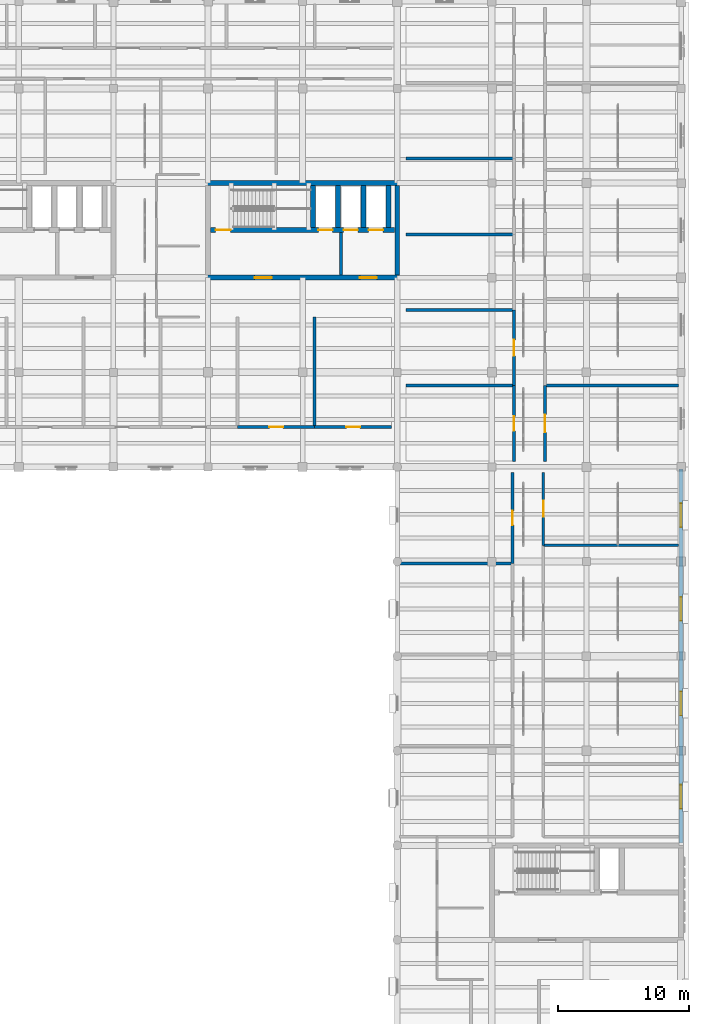
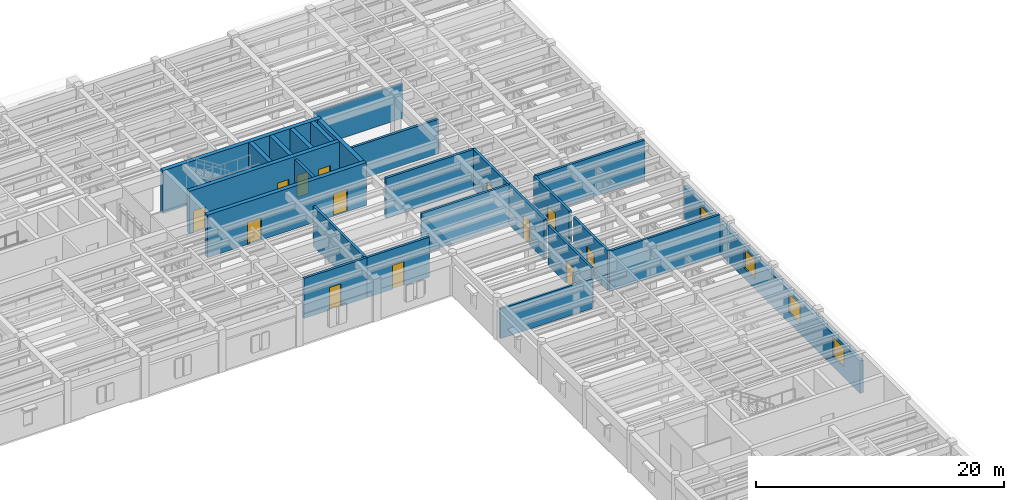
# One storey, part 53 of 66: 25 walls, 13 doors, 4 windows, 17 openings.
"""IFC4 building model written with IfcOpenShell, lengths in metres."""

from ifc_helpers import new_model, si_unit, direction, frame, frame_2d, origin, place, context, subcontext, project, spatial, rectangle, extrude, material, layer, layer_set, type_object, element, fill, save


model = new_model("IFC4")

# Units and contexts
model_context = context("Model", 3, precision=1e-05, world=origin(), true_north=direction((0.0, 1.0)))
body_context = subcontext(model_context, "Body", "Model", "MODEL_VIEW")
ifc_project = project(units=[si_unit("LENGTHUNIT", "METRE"), si_unit("AREAUNIT", "SQUARE_METRE"), si_unit("VOLUMEUNIT", "CUBIC_METRE"), si_unit("PLANEANGLEUNIT", "RADIAN"), si_unit("MASSUNIT", "GRAM", prefix="KILO")], contexts=[model_context])

# Site, building, storey
site_placement = place(None, origin())
site = spatial("IfcSite", under=ifc_project, at=site_placement, CompositionType="ELEMENT")
building_placement = place(site_placement, origin())
building = spatial("IfcBuilding", under=site, at=building_placement, Name="Mithqara Police Headquarters", CompositionType="ELEMENT")
storey_placement = place(building_placement, frame((0.0, 0.0, 9.60009765625)))
storey = spatial("IfcBuildingStorey", under=building, at=storey_placement, Name="L02", CompositionType="ELEMENT", Elevation=9.60009765625)

# Wall
ifc_material_1 = material(Name="Concrete C40/50", Category="concrete")
ifc_layer_1 = layer(ifc_material_1, 0.239990234375, Name="Concrete C40/50")
ifc_layer_set_1 = layer_set([ifc_layer_1], Name="Concrete C40/50")
wall_type_1 = type_object("IfcWallType", Name="CORE LOBBY WALL 240", PredefinedType="SOLIDWALL", material=ifc_layer_set_1)
wall_1_placement = place(storey_placement, frame((140.330078125, 93.18994140625, 0.0), z_axis=(0.0, 0.0, 1.0), x_axis=(0.0, 1.0, 0.0)))
element("IfcWall", 1, at=wall_1_placement, inside=storey, type_object=wall_type_1, Name="Core C2 Command East Firefighting Lobby Separation Wall L02", PredefinedType="SOLIDWALL", context=body_context, shape_type="SweptSolid", body=[
    extrude(rectangle(XDim=3.239990234375, YDim=0.239990234375, at=frame_2d((1.6201171875, 0.0))), origin(), (0.0, 0.0, 1.0), 3.909912109375),
])

# Wall, openings, windows
ifc_material_2 = material(Name="Limestone ashlar masonry, 45 MPa", Category="masonry")
ifc_layer_2 = layer(ifc_material_2, 0.320068359375, Name="Limestone ashlar masonry, 45 MPa")
ifc_layer_set_2 = layer_set([ifc_layer_2], Name="Limestone ashlar masonry, 45 MPa")
wall_type_2 = type_object("IfcWallType", Name="EXT WALL LIMESTONE320", PredefinedType="SOLIDWALL", material=ifc_layer_set_2)
wall_2_placement = place(storey_placement, frame((166.199951171875, 49.989990234375, 0.0), z_axis=(0.0, 0.0, 1.0), x_axis=(0.0, 1.0, 0.0)))
wall_2 = element("IfcWall", 2, at=wall_2_placement, inside=storey, type_object=wall_type_2, Name="L02 Exterior Wall 7.2", PredefinedType="SOLIDWALL", context=body_context, shape_type="SweptSolid", body=[
    extrude(rectangle(XDim=28.449951171875, YDim=0.320068359375, at=frame_2d((14.22509765625, 0.0))), origin(), (0.0, 0.0, 1.0), 3.18994140625),
])
opening_1_placement = place(wall_2_placement, frame((2.60498046875, 0.0, 1.0)))
opening_1 = element("IfcOpeningElement", 3, at=opening_1_placement, cuts=wall_2, Name="Opening W-33", PredefinedType="OPENING", context=body_context, shape_type="SweptSolid", body=[
    extrude(rectangle(XDim=1.800048828125, YDim=1.89990234375, at=frame_2d((0.89990234375, 0.949951171875))), frame((0.0, 0.169921875, 0.0), z_axis=(0.0, -1.0, 0.0), x_axis=(1.0, 0.0, 0.0)), (0.0, 0.0, 1.0), 0.340087890625),
])
opening_2_placement = place(wall_2_placement, frame((9.7099609375, 0.0, 1.0)))
opening_2 = element("IfcOpeningElement", 4, at=opening_2_placement, cuts=wall_2, Name="Opening W-33", PredefinedType="OPENING", context=body_context, shape_type="SweptSolid", body=[
    extrude(rectangle(XDim=1.800048828125, YDim=1.89990234375, at=frame_2d((0.89990234375, 0.949951171875))), frame((0.0, 0.169921875, 0.0), z_axis=(0.0, -1.0, 0.0), x_axis=(1.0, 0.0, 0.0)), (0.0, 0.0, 1.0), 0.340087890625),
])
opening_3_placement = place(wall_2_placement, frame((16.909912109375, 0.0, 1.0)))
opening_3 = element("IfcOpeningElement", 5, at=opening_3_placement, cuts=wall_2, Name="Opening W-33", PredefinedType="OPENING", context=body_context, shape_type="SweptSolid", body=[
    extrude(rectangle(XDim=1.800048828125, YDim=1.89990234375, at=frame_2d((0.89990234375, 0.949951171875))), frame((0.0, 0.169921875, 0.0), z_axis=(0.0, -1.0, 0.0), x_axis=(1.0, 0.0, 0.0)), (0.0, 0.0, 1.0), 0.340087890625),
])
opening_4_placement = place(wall_2_placement, frame((24.030029296875, 0.0, 1.0)))
opening_4 = element("IfcOpeningElement", 6, at=opening_4_placement, cuts=wall_2, Name="Opening W-33", PredefinedType="OPENING", context=body_context, shape_type="SweptSolid", body=[
    extrude(rectangle(XDim=1.800048828125, YDim=1.89990234375, at=frame_2d((0.89990234375, 0.949951171875))), frame((0.0, 0.169921875, 0.0), z_axis=(0.0, -1.0, 0.0), x_axis=(1.0, 0.0, 0.0)), (0.0, 0.0, 1.0), 0.340087890625),
])
ifc_material_3 = material(Name="Spectrally selective double low-e glass", Category="glass")
window_type = type_object("IfcWindowType", Name="WINDOW 1800X1900", PartitioningType="DOUBLE_PANEL_VERTICAL", PredefinedType="WINDOW", material=ifc_material_3)
window_1_placement = place(opening_1_placement, origin())
window_1 = element("IfcWindow", 7, at=window_1_placement, inside=storey, type_object=window_type, Name="L02 Deep-Set Punched Window 7.1", OverallHeight=1.89990234375, OverallWidth=1.800048828125, PartitioningType="SINGLE_PANEL", PredefinedType="WINDOW", context=body_context, shape_type="SweptSolid", body=[
    extrude(rectangle(XDim=1.800048828125, YDim=1.89990234375, at=frame_2d((0.89990234375, 0.949951171875))), frame((0.0, 0.030029296875, 0.0), z_axis=(0.0, -1.0, 0.0), x_axis=(1.0, 0.0, 0.0)), (0.0, 0.0, 1.0), 0.06005859375),
])
fill(opening_1, window_1)
window_2_placement = place(opening_2_placement, origin())
window_2 = element("IfcWindow", 8, at=window_2_placement, inside=storey, type_object=window_type, Name="L02 Deep-Set Punched Window 7.2", OverallHeight=1.89990234375, OverallWidth=1.800048828125, PartitioningType="SINGLE_PANEL", PredefinedType="WINDOW", context=body_context, shape_type="SweptSolid", body=[
    extrude(rectangle(XDim=1.800048828125, YDim=1.89990234375, at=frame_2d((0.89990234375, 0.949951171875))), frame((0.0, 0.030029296875, 0.0), z_axis=(0.0, -1.0, 0.0), x_axis=(1.0, 0.0, 0.0)), (0.0, 0.0, 1.0), 0.06005859375),
])
fill(opening_2, window_2)
window_3_placement = place(opening_3_placement, origin())
window_3 = element("IfcWindow", 9, at=window_3_placement, inside=storey, type_object=window_type, Name="L02 Deep-Set Punched Window 7.3", OverallHeight=1.89990234375, OverallWidth=1.800048828125, PartitioningType="SINGLE_PANEL", PredefinedType="WINDOW", context=body_context, shape_type="SweptSolid", body=[
    extrude(rectangle(XDim=1.800048828125, YDim=1.89990234375, at=frame_2d((0.89990234375, 0.949951171875))), frame((0.0, 0.030029296875, 0.0), z_axis=(0.0, -1.0, 0.0), x_axis=(1.0, 0.0, 0.0)), (0.0, 0.0, 1.0), 0.06005859375),
])
fill(opening_3, window_3)
window_4_placement = place(opening_4_placement, origin())
window_4 = element("IfcWindow", 10, at=window_4_placement, inside=storey, type_object=window_type, Name="L02 Deep-Set Punched Window 7.4", OverallHeight=1.89990234375, OverallWidth=1.800048828125, PartitioningType="SINGLE_PANEL", PredefinedType="WINDOW", context=body_context, shape_type="SweptSolid", body=[
    extrude(rectangle(XDim=1.800048828125, YDim=1.89990234375, at=frame_2d((0.89990234375, 0.949951171875))), frame((0.0, 0.030029296875, 0.0), z_axis=(0.0, -1.0, 0.0), x_axis=(1.0, 0.0, 0.0)), (0.0, 0.0, 1.0), 0.06005859375),
])
fill(opening_4, window_4)

# Wall
ifc_layer_3 = layer(ifc_material_1, 0.2099609375, Name="Concrete C40/50")
ifc_layer_set_3 = layer_set([ifc_layer_3], Name="Concrete C40/50")
wall_type_3 = type_object("IfcWallType", Name="PART WALL 210", PredefinedType="PARTITIONING", material=ifc_layer_set_3)
wall_3_placement = place(storey_placement, frame((144.780029296875, 71.248046875, 0.0), z_axis=(0.0, 0.0, 1.0), x_axis=(1.0, 0.0, 0.0)))
element("IfcWall", 11, at=wall_3_placement, inside=storey, type_object=wall_type_3, Name="L02 Room Partition Toxicology Laboratory", PredefinedType="PARTITIONING", context=body_context, shape_type="SweptSolid", body=[
    extrude(rectangle(XDim=8.599853515625, YDim=0.2099609375, at=frame_2d((4.2998046875, 0.0))), origin(), (0.0, 0.0, 1.0), 2.93994140625),
])

# Wall, opening, door
wall_4_placement = place(storey_placement, frame((153.3798828125, 71.248046875, 0.0), z_axis=(0.0, 0.0, 1.0), x_axis=(0.0, 1.0, 0.0)))
wall_4 = element("IfcWall", 12, at=wall_4_placement, inside=storey, type_object=wall_type_3, Name="L02 Corridor Wall Firearms Water Recovery Room", PredefinedType="PARTITIONING", context=body_context, shape_type="SweptSolid", body=[
    extrude(rectangle(XDim=6.931884765625, YDim=0.2099609375, at=frame_2d((3.4658203125, 0.0))), origin(), (0.0, 0.0, 1.0), 3.93994140625),
])
opening_5_placement = place(wall_4_placement, frame((2.916015625, 0.0, 0.0)))
opening_5 = element("IfcOpeningElement", 13, at=opening_5_placement, cuts=wall_4, Name="Opening D-11", PredefinedType="OPENING", context=body_context, shape_type="SweptSolid", body=[
    extrude(rectangle(XDim=1.10009765625, YDim=2.219970703125, at=frame_2d((0.550048828125, 1.10986328125))), frame((0.0, 0.114990234375, 0.0), z_axis=(0.0, -1.0, 0.0), x_axis=(1.0, 0.0, 0.0)), (0.0, 0.0, 1.0), 0.22998046875),
])
ifc_material_4 = material(Name="Acoustic solid-core timber leaf", Category="wood")
door_type_1 = type_object("IfcDoorType", Name="INT DOOR 1100X2220", OperationType="NOTDEFINED", PredefinedType="DOOR", material=ifc_material_4)
door_1_placement = place(opening_5_placement, frame((1.10009765625, 0.0, 0.0), z_axis=(0.0, 0.0, 1.0), x_axis=(-1.0, 0.0, 0.0)))
door_1 = element("IfcDoor", 14, at=door_1_placement, inside=storey, type_object=door_type_1, Name="Firearms Water Recovery Room Entry Door", OperationType="SINGLE_SWING_RIGHT", OverallHeight=2.219970703125, OverallWidth=1.10009765625, PredefinedType="DOOR", context=body_context, shape_type="SweptSolid", body=[
    extrude(rectangle(XDim=1.10009765625, YDim=2.219970703125, at=frame_2d((0.550048828125, 1.10986328125))), frame((0.0, 0.02490234375, 0.0), z_axis=(0.0, -1.0, 0.0), x_axis=(1.0, 0.0, 0.0)), (0.0, 0.0, 1.0), 0.050048828125),
])
fill(opening_5, door_1)

# Wall
wall_5_placement = place(storey_placement, frame((155.719970703125, 72.634033203125, 0.0), z_axis=(0.0, 0.0, 1.0), x_axis=(1.0, 0.0, 0.0)))
element("IfcWall", 15, at=wall_5_placement, inside=storey, type_object=wall_type_3, Name="L02 Room Partition Toxicology Laboratory", PredefinedType="PARTITIONING", context=body_context, shape_type="SweptSolid", body=[
    extrude(rectangle(XDim=10.300048828125, YDim=0.2099609375, at=frame_2d((5.14990234375, 0.0))), origin(), (0.0, 0.0, 1.0), 3.93994140625),
])

# Wall, opening, door
wall_6_placement = place(storey_placement, frame((155.719970703125, 72.634033203125, 0.0), z_axis=(0.0, 0.0, 1.0), x_axis=(0.0, 1.0, 0.0)))
wall_6 = element("IfcWall", 16, at=wall_6_placement, inside=storey, type_object=wall_type_3, Name="L02 Corridor Wall Firearms Water Recovery Room", PredefinedType="PARTITIONING", context=body_context, shape_type="SweptSolid", body=[
    extrude(rectangle(XDim=5.5458984375, YDim=0.2099609375, at=frame_2d((2.77294921875, 0.0))), origin(), (0.0, 0.0, 1.0), 3.93994140625),
])
opening_6_placement = place(wall_6_placement, frame((2.1630859375, 0.0, 0.0)))
opening_6 = element("IfcOpeningElement", 17, at=opening_6_placement, cuts=wall_6, Name="Opening D-15", PredefinedType="OPENING", context=body_context, shape_type="SweptSolid", body=[
    extrude(rectangle(XDim=1.219970703125, YDim=2.35009765625, at=frame_2d((0.60986328125, 1.175048828125))), frame((0.0, 0.114990234375, 0.0), z_axis=(0.0, -1.0, 0.0), x_axis=(1.0, 0.0, 0.0)), (0.0, 0.0, 1.0), 0.22998046875),
])
door_type_2 = type_object("IfcDoorType", Name="INT DOOR 1220X2350", OperationType="NOTDEFINED", PredefinedType="DOOR", material=ifc_material_4)
door_2_placement = place(opening_6_placement, origin())
door_2 = element("IfcDoor", 18, at=door_2_placement, inside=storey, type_object=door_type_2, Name="Firearms Water Recovery Room Entry Door", OperationType="SINGLE_SWING_RIGHT", OverallHeight=2.35009765625, OverallWidth=1.219970703125, PredefinedType="DOOR", context=body_context, shape_type="SweptSolid", body=[
    extrude(rectangle(XDim=1.219970703125, YDim=2.35009765625, at=frame_2d((0.60986328125, 1.175048828125))), frame((0.0, 0.02490234375, 0.0), z_axis=(0.0, -1.0, 0.0), x_axis=(1.0, 0.0, 0.0)), (0.0, 0.0, 1.0), 0.050048828125),
])
fill(opening_6, door_2)

ifc_layer_4 = layer(ifc_material_1, 0.22998046875, Name="Concrete C40/50")
ifc_layer_set_4 = layer_set([ifc_layer_4], Name="Concrete C40/50")
wall_type_4 = type_object("IfcWallType", Name="PART WALL 230", PredefinedType="PARTITIONING", material=ifc_layer_set_4)
wall_7_placement = place(storey_placement, frame((132.4599609375, 81.639892578125, 0.0), z_axis=(0.0, 0.0, 1.0), x_axis=(1.0, 0.0, 0.0)))
wall_7 = element("IfcWall", 19, at=wall_7_placement, inside=storey, type_object=wall_type_4, Name="L02 Corridor Wall Incident Briefing Room", PredefinedType="PARTITIONING", context=body_context, shape_type="SweptSolid", body=[
    extrude(rectangle(XDim=5.860107421875, YDim=0.22998046875, at=frame_2d((2.93017578125, 0.0))), origin(), (0.0, 0.0, 1.0), 3.93994140625),
])
opening_7_placement = place(wall_7_placement, frame((2.409912109375, 0.0, 0.0)))
opening_7 = element("IfcOpeningElement", 20, at=opening_7_placement, cuts=wall_7, Name="Opening D-08", PredefinedType="OPENING", context=body_context, shape_type="SweptSolid", body=[
    extrude(rectangle(XDim=1.0400390625, YDim=2.219970703125, at=frame_2d((0.52001953125, 1.10986328125))), frame((0.0, 0.125, 0.0), z_axis=(0.0, -1.0, 0.0), x_axis=(1.0, 0.0, 0.0)), (0.0, 0.0, 1.0), 0.25),
])
door_type_3 = type_object("IfcDoorType", Name="INT DOOR 1040X2220", OperationType="NOTDEFINED", PredefinedType="DOOR", material=ifc_material_4)
door_3_placement = place(opening_7_placement, origin())
door_3 = element("IfcDoor", 21, at=door_3_placement, inside=storey, type_object=door_type_3, Name="Incident Briefing Room Entry Door", OperationType="SINGLE_SWING_LEFT", OverallHeight=2.219970703125, OverallWidth=1.0400390625, PredefinedType="DOOR", context=body_context, shape_type="SweptSolid", body=[
    extrude(rectangle(XDim=1.0400390625, YDim=2.219970703125, at=frame_2d((0.52001953125, 1.10986328125))), frame((0.0, 0.02490234375, 0.0), z_axis=(0.0, -1.0, 0.0), x_axis=(1.0, 0.0, 0.0)), (0.0, 0.0, 1.0), 0.050048828125),
])
fill(opening_7, door_3)

# Wall
wall_8_placement = place(storey_placement, frame((138.320068359375, 81.639892578125, 0.0), z_axis=(0.0, 0.0, 1.0), x_axis=(0.0, 1.0, 0.0)))
element("IfcWall", 22, at=wall_8_placement, inside=storey, type_object=wall_type_4, Name="L02 Room Partition Incident Briefing Room", PredefinedType="PARTITIONING", context=body_context, shape_type="SweptSolid", body=[
    extrude(rectangle(XDim=8.360107421875, YDim=0.22998046875, at=frame_2d((4.18017578125, 0.0))), origin(), (0.0, 0.0, 1.0), 3.93994140625),
])

# Wall, opening, door
wall_9_placement = place(storey_placement, frame((138.320068359375, 81.639892578125, 0.0), z_axis=(0.0, 0.0, 1.0), x_axis=(1.0, 0.0, 0.0)))
wall_9 = element("IfcWall", 23, at=wall_9_placement, inside=storey, type_object=wall_type_4, Name="L02 Corridor Wall Public Affairs Coordination Office", PredefinedType="PARTITIONING", context=body_context, shape_type="SweptSolid", body=[
    extrude(rectangle(XDim=5.85986328125, YDim=0.22998046875, at=frame_2d((2.929931640625, 0.0))), origin(), (0.0, 0.0, 1.0), 3.93994140625),
])
opening_8_placement = place(wall_9_placement, frame((2.409912109375, 0.0, 0.0)))
opening_8 = element("IfcOpeningElement", 24, at=opening_8_placement, cuts=wall_9, Name="Opening D-09", PredefinedType="OPENING", context=body_context, shape_type="SweptSolid", body=[
    extrude(rectangle(XDim=1.0400390625, YDim=2.35009765625, at=frame_2d((0.52001953125, 1.175048828125))), frame((0.0, 0.125, 0.0), z_axis=(0.0, -1.0, 0.0), x_axis=(1.0, 0.0, 0.0)), (0.0, 0.0, 1.0), 0.25),
])
door_type_4 = type_object("IfcDoorType", Name="INT DOOR 1040X2350", OperationType="NOTDEFINED", PredefinedType="DOOR", material=ifc_material_4)
door_4_placement = place(opening_8_placement, origin())
door_4 = element("IfcDoor", 25, at=door_4_placement, inside=storey, type_object=door_type_4, Name="Public Affairs Coordination Office Entry Door", OperationType="SINGLE_SWING_RIGHT", OverallHeight=2.35009765625, OverallWidth=1.0400390625, PredefinedType="DOOR", context=body_context, shape_type="SweptSolid", body=[
    extrude(rectangle(XDim=1.0400390625, YDim=2.35009765625, at=frame_2d((0.52001953125, 1.175048828125))), frame((0.0, 0.02490234375, 0.0), z_axis=(0.0, -1.0, 0.0), x_axis=(1.0, 0.0, 0.0)), (0.0, 0.0, 1.0), 0.050048828125),
])
fill(opening_8, door_4)

wall_10_placement = place(storey_placement, frame((153.4951171875, 79.02001953125, 0.0), z_axis=(0.0, 0.0, 1.0), x_axis=(0.0, 1.0, 0.0)))
wall_10 = element("IfcWall", 26, at=wall_10_placement, inside=storey, type_object=wall_type_4, Name="L02 Corridor Wall Emergency Preparedness Suite", PredefinedType="PARTITIONING", context=body_context, shape_type="SweptSolid", body=[
    extrude(rectangle(XDim=5.760009765625, YDim=0.22998046875, at=frame_2d((2.8798828125, 0.0))), origin(), (0.0, 0.0, 1.0), 3.93994140625),
])
opening_9_placement = place(wall_10_placement, frame((2.330078125, 0.0, 0.0)))
opening_9 = element("IfcOpeningElement", 27, at=opening_9_placement, cuts=wall_10, Name="Opening D-12", PredefinedType="OPENING", context=body_context, shape_type="SweptSolid", body=[
    extrude(rectangle(XDim=1.10009765625, YDim=2.35009765625, at=frame_2d((0.550048828125, 1.175048828125))), frame((0.0, 0.125, 0.0), z_axis=(0.0, -1.0, 0.0), x_axis=(1.0, 0.0, 0.0)), (0.0, 0.0, 1.0), 0.25),
])
door_type_5 = type_object("IfcDoorType", Name="INT DOOR 1100X2350", OperationType="NOTDEFINED", PredefinedType="DOOR", material=ifc_material_4)
door_5_placement = place(opening_9_placement, frame((1.10009765625, 0.0, 0.0), z_axis=(0.0, 0.0, 1.0), x_axis=(-1.0, 0.0, 0.0)))
door_5 = element("IfcDoor", 28, at=door_5_placement, inside=storey, type_object=door_type_5, Name="Emergency Preparedness Suite Entry Door", OperationType="SINGLE_SWING_LEFT", OverallHeight=2.35009765625, OverallWidth=1.10009765625, PredefinedType="DOOR", context=body_context, shape_type="SweptSolid", body=[
    extrude(rectangle(XDim=1.10009765625, YDim=2.35009765625, at=frame_2d((0.550048828125, 1.175048828125))), frame((0.0, 0.02490234375, 0.0), z_axis=(0.0, -1.0, 0.0), x_axis=(1.0, 0.0, 0.0)), (0.0, 0.0, 1.0), 0.050048828125),
])
fill(opening_9, door_5)

# Wall
wall_11_placement = place(storey_placement, frame((145.25, 84.780029296875, 0.0), z_axis=(0.0, 0.0, 1.0), x_axis=(1.0, 0.0, 0.0)))
element("IfcWall", 29, at=wall_11_placement, inside=storey, type_object=wall_type_4, Name="L02 Room Partition Emergency Preparedness Suite", PredefinedType="PARTITIONING", context=body_context, shape_type="SweptSolid", body=[
    extrude(rectangle(XDim=8.2451171875, YDim=0.22998046875, at=frame_2d((4.12255859375, 0.0))), origin(), (0.0, 0.0, 1.0), 3.93994140625),
])

# Wall, opening, door
wall_12_placement = place(storey_placement, frame((153.4951171875, 84.780029296875, 0.0), z_axis=(0.0, 0.0, 1.0), x_axis=(0.0, 1.0, 0.0)))
wall_12 = element("IfcWall", 30, at=wall_12_placement, inside=storey, type_object=wall_type_4, Name="L02 Corridor Wall Event Policing Operations Room", PredefinedType="PARTITIONING", context=body_context, shape_type="SweptSolid", body=[
    extrude(rectangle(XDim=5.760009765625, YDim=0.22998046875, at=frame_2d((2.8798828125, 0.0))), origin(), (0.0, 0.0, 1.0), 3.93994140625),
])
opening_10_placement = place(wall_12_placement, frame((2.27001953125, 0.0, 0.0)))
opening_10 = element("IfcOpeningElement", 31, at=opening_10_placement, cuts=wall_12, Name="Opening D-13", PredefinedType="OPENING", context=body_context, shape_type="SweptSolid", body=[
    extrude(rectangle(XDim=1.219970703125, YDim=2.10009765625, at=frame_2d((0.60986328125, 1.050048828125))), frame((0.0, 0.125, 0.0), z_axis=(0.0, -1.0, 0.0), x_axis=(1.0, 0.0, 0.0)), (0.0, 0.0, 1.0), 0.25),
])
door_type_6 = type_object("IfcDoorType", Name="INT DOOR 1220X2100", OperationType="NOTDEFINED", PredefinedType="DOOR", material=ifc_material_4)
door_6_placement = place(opening_10_placement, frame((1.219970703125, 0.0, 0.0), z_axis=(0.0, 0.0, 1.0), x_axis=(-1.0, 0.0, 0.0)))
door_6 = element("IfcDoor", 32, at=door_6_placement, inside=storey, type_object=door_type_6, Name="Event Policing Operations Room Entry Door", OperationType="SINGLE_SWING_RIGHT", OverallHeight=2.10009765625, OverallWidth=1.219970703125, PredefinedType="DOOR", context=body_context, shape_type="SweptSolid", body=[
    extrude(rectangle(XDim=1.219970703125, YDim=2.10009765625, at=frame_2d((0.60986328125, 1.050048828125))), frame((0.0, 0.02490234375, 0.0), z_axis=(0.0, -1.0, 0.0), x_axis=(1.0, 0.0, 0.0)), (0.0, 0.0, 1.0), 0.050048828125),
])
fill(opening_10, door_6)

# Walls
wall_13_placement = place(storey_placement, frame((145.25, 90.5400390625, 0.0), z_axis=(0.0, 0.0, 1.0), x_axis=(1.0, 0.0, 0.0)))
element("IfcWall", 33, at=wall_13_placement, inside=storey, type_object=wall_type_4, Name="L02 Room Partition Event Policing Operations Room", PredefinedType="PARTITIONING", context=body_context, shape_type="SweptSolid", body=[
    extrude(rectangle(XDim=8.2451171875, YDim=0.22998046875, at=frame_2d((4.12255859375, 0.0))), origin(), (0.0, 0.0, 1.0), 3.93994140625),
])
for number, where, z_axis, x_axis, name in (
    (34, (145.25, 96.300048828125, 0.0), (0.0, 0.0, 1.0), (1.0, 0.0, 0.0), "L02 Room Partition Male Staff WC"),
    (35, (145.25, 102.06005859375, 0.0), (0.0, 0.0, 1.0), (1.0, 0.0, 0.0), "L02 Room Partition Female Staff WC"),
):
    element("IfcWall", number, at=place(storey_placement, frame(where, z_axis=z_axis, x_axis=x_axis)), inside=storey, type_object=wall_type_4, Name=name, PredefinedType="PARTITIONING", context=body_context, shape_type="SweptSolid", body=[
        extrude(rectangle(XDim=8.2451171875, YDim=0.22998046875, at=frame_2d((4.12255859375, 0.0))), origin(), (0.0, 0.0, 1.0), 3.389892578125),
    ])

# Wall, opening, door
wall_14_placement = place(storey_placement, frame((155.8349609375, 79.02001953125, 0.0), z_axis=(0.0, 0.0, 1.0), x_axis=(0.0, 1.0, 0.0)))
wall_14 = element("IfcWall", 36, at=wall_14_placement, inside=storey, type_object=wall_type_4, Name="L02 Corridor Wall Event Policing Operations Room", PredefinedType="PARTITIONING", context=body_context, shape_type="SweptSolid", body=[
    extrude(rectangle(XDim=5.760009765625, YDim=0.22998046875, at=frame_2d((2.8798828125, 0.0))), origin(), (0.0, 0.0, 1.0), 3.93994140625),
])
opening_11_placement = place(wall_14_placement, frame((2.199951171875, 0.0, 0.0)))
opening_11 = element("IfcOpeningElement", 37, at=opening_11_placement, cuts=wall_14, Name="Opening D-18", PredefinedType="OPENING", context=body_context, shape_type="SweptSolid", body=[
    extrude(rectangle(XDim=1.360107421875, YDim=2.35009765625, at=frame_2d((0.68017578125, 1.175048828125))), frame((0.0, 0.125, 0.0), z_axis=(0.0, -1.0, 0.0), x_axis=(1.0, 0.0, 0.0)), (0.0, 0.0, 1.0), 0.25),
])
ifc_material_5 = material(Name="Bronze anodised aluminium 6063-T6", Category="aluminium")
door_type_7 = type_object("IfcDoorType", Name="INT DOOR 1360X2350", OperationType="NOTDEFINED", PredefinedType="DOOR", material=ifc_material_5)
door_7_placement = place(opening_11_placement, origin())
door_7 = element("IfcDoor", 38, at=door_7_placement, inside=storey, type_object=door_type_7, Name="Event Policing Operations Room Entry Door", OperationType="SINGLE_SWING_LEFT", OverallHeight=2.35009765625, OverallWidth=1.360107421875, PredefinedType="DOOR", context=body_context, shape_type="SweptSolid", body=[
    extrude(rectangle(XDim=1.360107421875, YDim=2.35009765625, at=frame_2d((0.68017578125, 1.175048828125))), frame((0.0, 0.02490234375, 0.0), z_axis=(0.0, -1.0, 0.0), x_axis=(1.0, 0.0, 0.0)), (0.0, 0.0, 1.0), 0.050048828125),
])
fill(opening_11, door_7)

# Walls
wall_15_placement = place(storey_placement, frame((155.8349609375, 84.780029296875, 0.0), z_axis=(0.0, 0.0, 1.0), x_axis=(1.0, 0.0, 0.0)))
element("IfcWall", 39, at=wall_15_placement, inside=storey, type_object=wall_type_4, Name="L02 Room Partition Event Policing Operations Room", PredefinedType="PARTITIONING", context=body_context, shape_type="SweptSolid", body=[
    extrude(rectangle(XDim=10.18505859375, YDim=0.22998046875, at=frame_2d((5.092529296875, 0.0))), origin(), (0.0, 0.0, 1.0), 3.93994140625),
])
ifc_material_6 = material(Name="Concrete C50/60", Category="concrete")
ifc_layer_5 = layer(ifc_material_6, 0.3798828125, Name="Concrete C50/60")
ifc_layer_set_5 = layer_set([ifc_layer_5], Name="Concrete C50/60")
wall_type_5 = type_object("IfcWallType", Name="SHEAR WALL 380", PredefinedType="SHEAR", material=ifc_layer_set_5)
wall_16_placement = place(storey_placement, frame((130.010009765625, 100.199951171875, 0.0), z_axis=(0.0, 0.0, 1.0), x_axis=(1.0, 0.0, 0.0)))
element("IfcWall", 40, at=wall_16_placement, inside=storey, type_object=wall_type_5, Name="Core C2 Command East Shear Wall N", PredefinedType="SHEAR", context=body_context, shape_type="SweptSolid", body=[
    extrude(rectangle(XDim=14.780029296875, YDim=0.3798828125, at=frame_2d((7.39013671875, 0.0))), origin(), (0.0, 0.0, 1.0), 4.199951171875),
])

# Wall, openings, doors
wall_17_placement = place(storey_placement, frame((130.010009765625, 93.0, 0.0), z_axis=(0.0, 0.0, 1.0), x_axis=(1.0, 0.0, 0.0)))
wall_17 = element("IfcWall", 41, at=wall_17_placement, inside=storey, type_object=wall_type_5, Name="Core C2 Command East Shear Wall S", PredefinedType="SHEAR", context=body_context, shape_type="SweptSolid", body=[
    extrude(rectangle(XDim=14.780029296875, YDim=0.3798828125, at=frame_2d((7.39013671875, 0.0))), origin(), (0.0, 0.0, 1.0), 4.199951171875),
])
opening_12_placement = place(wall_17_placement, frame((3.739990234375, 0.0, 0.0)))
opening_12 = element("IfcOpeningElement", 42, at=opening_12_placement, cuts=wall_17, Name="Opening FD-02", PredefinedType="OPENING", context=body_context, shape_type="SweptSolid", body=[
    extrude(rectangle(XDim=1.300048828125, YDim=2.199951171875, at=frame_2d((0.64990234375, 1.10009765625))), frame((0.0, 0.199951171875, 0.0), z_axis=(0.0, -1.0, 0.0), x_axis=(1.0, 0.0, 0.0)), (0.0, 0.0, 1.0), 0.39990234375),
])
opening_13_placement = place(wall_17_placement, frame((11.739990234375, 0.0, 0.0)))
opening_13 = element("IfcOpeningElement", 43, at=opening_13_placement, cuts=wall_17, Name="Opening FD-02", PredefinedType="OPENING", context=body_context, shape_type="SweptSolid", body=[
    extrude(rectangle(XDim=1.300048828125, YDim=2.199951171875, at=frame_2d((0.64990234375, 1.10009765625))), frame((0.0, 0.199951171875, 0.0), z_axis=(0.0, -1.0, 0.0), x_axis=(1.0, 0.0, 0.0)), (0.0, 0.0, 1.0), 0.39990234375),
])
ifc_material_7 = material(Name="Steel S355JR", Category="steel")
door_type_8 = type_object("IfcDoorType", Name="CORE DOOR LOBBY 1300X2200", OperationType="NOTDEFINED", PredefinedType="DOOR", material=ifc_material_7)
door_8_placement = place(opening_12_placement, frame((1.300048828125, 0.0, 0.0), z_axis=(0.0, 0.0, 1.0), x_axis=(-1.0, 0.0, 0.0)))
door_8 = element("IfcDoor", 44, at=door_8_placement, inside=storey, type_object=door_type_8, Name="Core C2 Command East FF Lobby Fire Door L02", OperationType="SINGLE_SWING_LEFT", OverallHeight=2.199951171875, OverallWidth=1.300048828125, PredefinedType="DOOR", context=body_context, shape_type="SweptSolid", body=[
    extrude(rectangle(XDim=1.300048828125, YDim=2.199951171875, at=frame_2d((0.64990234375, 1.10009765625))), frame((0.0, 0.02490234375, 0.0), z_axis=(0.0, -1.0, 0.0), x_axis=(1.0, 0.0, 0.0)), (0.0, 0.0, 1.0), 0.050048828125),
])
fill(opening_12, door_8)
door_9_placement = place(opening_13_placement, frame((1.300048828125, 0.0, 0.0), z_axis=(0.0, 0.0, 1.0), x_axis=(-1.0, 0.0, 0.0)))
door_9 = element("IfcDoor", 45, at=door_9_placement, inside=storey, type_object=door_type_8, Name="Core C2 Command East PA Lobby Fire Door L02", OperationType="SINGLE_SWING_RIGHT", OverallHeight=2.199951171875, OverallWidth=1.300048828125, PredefinedType="DOOR", context=body_context, shape_type="SweptSolid", body=[
    extrude(rectangle(XDim=1.300048828125, YDim=2.199951171875, at=frame_2d((0.64990234375, 1.10009765625))), frame((0.0, 0.02490234375, 0.0), z_axis=(0.0, -1.0, 0.0), x_axis=(1.0, 0.0, 0.0)), (0.0, 0.0, 1.0), 0.050048828125),
])
fill(opening_13, door_9)

# Wall
wall_18_placement = place(storey_placement, frame((144.60009765625, 93.199951171875, 0.0), z_axis=(0.0, 0.0, 1.0), x_axis=(0.0, 1.0, 0.0)))
element("IfcWall", 46, at=wall_18_placement, inside=storey, type_object=wall_type_5, Name="Core C2 Command East Shear Wall E", PredefinedType="SHEAR", context=body_context, shape_type="SweptSolid", body=[
    extrude(rectangle(XDim=6.800048828125, YDim=0.3798828125, at=frame_2d((3.39990234375, 0.0))), origin(), (0.0, 0.0, 1.0), 4.199951171875),
])

# Wall, openings, doors
wall_19_placement = place(storey_placement, frame((130.39990234375, 96.6201171875, 0.0), z_axis=(0.0, 0.0, 1.0), x_axis=(1.0, 0.0, 0.0)))
wall_19 = element("IfcWall", 47, at=wall_19_placement, inside=storey, type_object=wall_type_5, Name="Core C2 Command East Shear Wall M", PredefinedType="SHEAR", context=body_context, shape_type="SweptSolid", body=[
    extrude(rectangle(XDim=14.0, YDim=0.3798828125, at=frame_2d((7.0, 0.0))), origin(), (0.0, 0.0, 1.0), 4.199951171875),
])
opening_14_placement = place(wall_19_placement, frame((8.18994140625, 0.0, 0.0)))
opening_14 = element("IfcOpeningElement", 48, at=opening_14_placement, cuts=wall_19, Name="Opening LD-01", PredefinedType="OPENING", context=body_context, shape_type="SweptSolid", body=[
    extrude(rectangle(XDim=1.10009765625, YDim=2.14990234375, at=frame_2d((0.550048828125, 1.074951171875))), frame((0.0, 0.199951171875, 0.0), z_axis=(0.0, -1.0, 0.0), x_axis=(1.0, 0.0, 0.0)), (0.0, 0.0, 1.0), 0.39990234375),
])
opening_15_placement = place(wall_19_placement, frame((10.110107421875, 0.0, 0.0)))
opening_15 = element("IfcOpeningElement", 49, at=opening_15_placement, cuts=wall_19, Name="Opening LD-01", PredefinedType="OPENING", context=body_context, shape_type="SweptSolid", body=[
    extrude(rectangle(XDim=1.10009765625, YDim=2.14990234375, at=frame_2d((0.550048828125, 1.074951171875))), frame((0.0, 0.199951171875, 0.0), z_axis=(0.0, -1.0, 0.0), x_axis=(1.0, 0.0, 0.0)), (0.0, 0.0, 1.0), 0.39990234375),
])
opening_16_placement = place(wall_19_placement, frame((12.030029296875, 0.0, 0.0)))
opening_16 = element("IfcOpeningElement", 50, at=opening_16_placement, cuts=wall_19, Name="Opening LD-01", PredefinedType="OPENING", context=body_context, shape_type="SweptSolid", body=[
    extrude(rectangle(XDim=1.10009765625, YDim=2.14990234375, at=frame_2d((0.550048828125, 1.074951171875))), frame((0.0, 0.199951171875, 0.0), z_axis=(0.0, -1.0, 0.0), x_axis=(1.0, 0.0, 0.0)), (0.0, 0.0, 1.0), 0.39990234375),
])
opening_17_placement = place(wall_19_placement, frame((0.375, 0.0, 0.0)))
opening_17 = element("IfcOpeningElement", 51, at=opening_17_placement, cuts=wall_19, Name="Opening FD-01", PredefinedType="OPENING", context=body_context, shape_type="SweptSolid", body=[
    extrude(rectangle(XDim=1.14990234375, YDim=2.14990234375, at=frame_2d((0.574951171875, 1.074951171875))), frame((0.0, 0.199951171875, 0.0), z_axis=(0.0, -1.0, 0.0), x_axis=(1.0, 0.0, 0.0)), (0.0, 0.0, 1.0), 0.39990234375),
])
door_type_9 = type_object("IfcDoorType", Name="CORE DOOR STAIR 1150X2150", OperationType="NOTDEFINED", PredefinedType="DOOR", material=ifc_material_7)
door_10_placement = place(opening_17_placement, origin())
door_10 = element("IfcDoor", 52, at=door_10_placement, inside=storey, type_object=door_type_9, Name="Stair ST-02 Fire Door L02", OperationType="SINGLE_SWING_RIGHT", OverallHeight=2.14990234375, OverallWidth=1.14990234375, PredefinedType="DOOR", context=body_context, shape_type="SweptSolid", body=[
    extrude(rectangle(XDim=1.14990234375, YDim=2.14990234375, at=frame_2d((0.574951171875, 1.074951171875))), frame((0.0, 0.02490234375, 0.0), z_axis=(0.0, -1.0, 0.0), x_axis=(1.0, 0.0, 0.0)), (0.0, 0.0, 1.0), 0.050048828125),
])
fill(opening_17, door_10)
door_type_10 = type_object("IfcDoorType", Name="LIFT DOOR 1100X2150", OperationType="DOUBLE_DOOR_SLIDING", PredefinedType="DOOR", material=ifc_material_7)
door_11_placement = place(opening_14_placement, frame((1.10009765625, 0.0, 0.0), z_axis=(0.0, 0.0, 1.0), x_axis=(-1.0, 0.0, 0.0)))
door_11 = element("IfcDoor", 53, at=door_11_placement, inside=storey, type_object=door_type_10, Name="Lift Landing Door FL-02-L02", OperationType="DOUBLE_DOOR_SLIDING", OverallHeight=2.14990234375, OverallWidth=1.10009765625, PredefinedType="DOOR", context=body_context, shape_type="SweptSolid", body=[
    extrude(rectangle(XDim=1.10009765625, YDim=2.14990234375, at=frame_2d((0.550048828125, 1.074951171875))), frame((0.0, 0.02490234375, 0.0), z_axis=(0.0, -1.0, 0.0), x_axis=(1.0, 0.0, 0.0)), (0.0, 0.0, 1.0), 0.050048828125),
])
fill(opening_14, door_11)
door_12_placement = place(opening_15_placement, frame((1.10009765625, 0.0, 0.0), z_axis=(0.0, 0.0, 1.0), x_axis=(-1.0, 0.0, 0.0)))
door_12 = element("IfcDoor", 54, at=door_12_placement, inside=storey, type_object=door_type_10, Name="Lift Landing Door LP-03-L02", OperationType="DOUBLE_DOOR_SLIDING", OverallHeight=2.14990234375, OverallWidth=1.10009765625, PredefinedType="DOOR", context=body_context, shape_type="SweptSolid", body=[
    extrude(rectangle(XDim=1.10009765625, YDim=2.14990234375, at=frame_2d((0.550048828125, 1.074951171875))), frame((0.0, 0.02490234375, 0.0), z_axis=(0.0, -1.0, 0.0), x_axis=(1.0, 0.0, 0.0)), (0.0, 0.0, 1.0), 0.050048828125),
])
fill(opening_15, door_12)
door_13_placement = place(opening_16_placement, frame((1.10009765625, 0.0, 0.0), z_axis=(0.0, 0.0, 1.0), x_axis=(-1.0, 0.0, 0.0)))
door_13 = element("IfcDoor", 55, at=door_13_placement, inside=storey, type_object=door_type_10, Name="Lift Landing Door LP-04-L02", OperationType="DOUBLE_DOOR_SLIDING", OverallHeight=2.14990234375, OverallWidth=1.10009765625, PredefinedType="DOOR", context=body_context, shape_type="SweptSolid", body=[
    extrude(rectangle(XDim=1.10009765625, YDim=2.14990234375, at=frame_2d((0.550048828125, 1.074951171875))), frame((0.0, 0.02490234375, 0.0), z_axis=(0.0, -1.0, 0.0), x_axis=(1.0, 0.0, 0.0)), (0.0, 0.0, 1.0), 0.050048828125),
])
fill(opening_16, door_13)

# Walls
for number, where, z_axis, x_axis, name in (
    (56, (138.179931640625, 96.820068359375, 0.0), (0.0, 0.0, 1.0), (0.0, 1.0, 0.0), "Core C2 Command East Shear Wall X"),
    (57, (140.10009765625, 96.820068359375, 0.0), (0.0, 0.0, 1.0), (0.0, 1.0, 0.0), "Core C2 Command East Shear Wall L1"),
    (58, (142.02001953125, 96.820068359375, 0.0), (0.0, 0.0, 1.0), (0.0, 1.0, 0.0), "Core C2 Command East Shear Wall L2"),
    (59, (143.93994140625, 96.820068359375, 0.0), (0.0, 0.0, 1.0), (0.0, 1.0, 0.0), "Core C2 Command East Shear Wall L3"),
):
    element("IfcWall", number, at=place(storey_placement, frame(where, z_axis=z_axis, x_axis=x_axis)), inside=storey, type_object=wall_type_5, Name=name, PredefinedType="SHEAR", context=body_context, shape_type="SweptSolid", body=[
        extrude(rectangle(XDim=3.179931640625, YDim=0.3798828125, at=frame_2d((1.58984375, 0.0))), origin(), (0.0, 0.0, 1.0), 4.199951171875),
    ])

save(model, "model.ifc")
